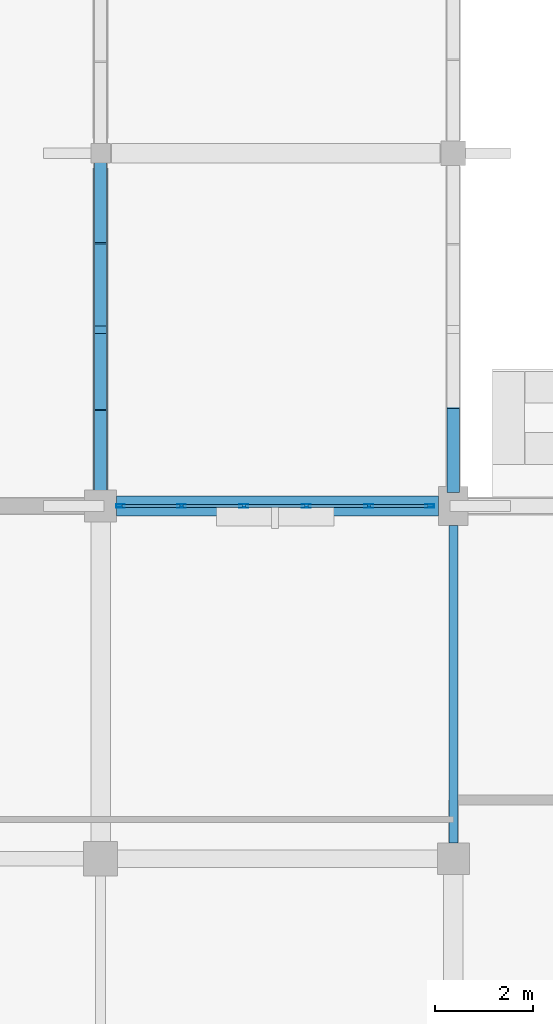
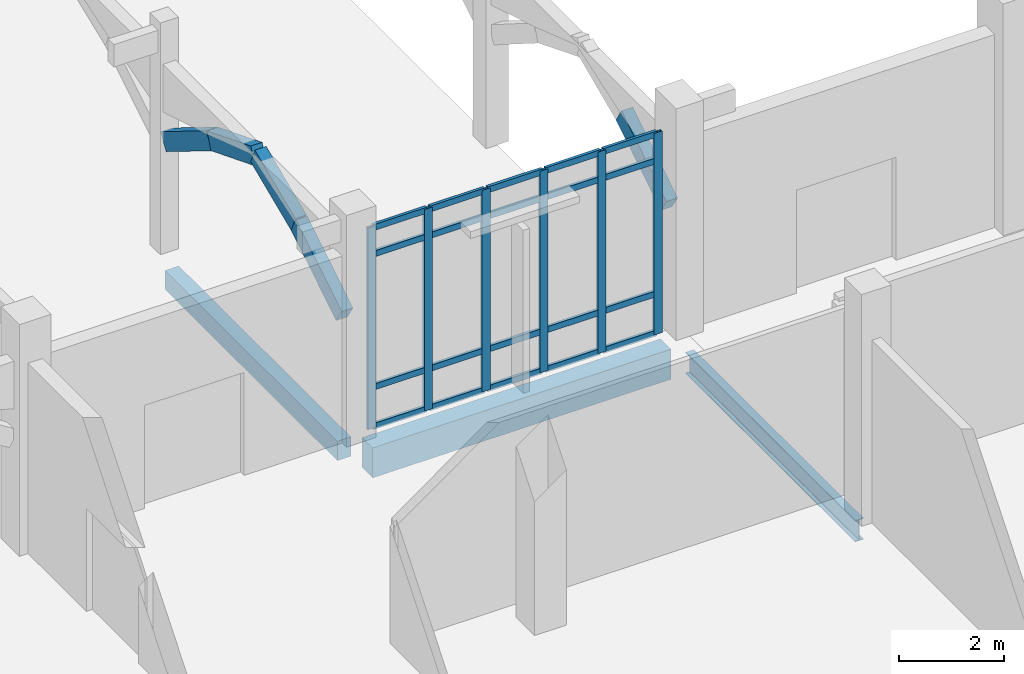
# One storey, part 30 of 110: 31 members, 3 beams, 1 element without a shape of its own.
"""IFC4 building model written with IfcOpenShell, lengths in metres."""

from ifc_helpers import new_model, si_unit, direction, frame, origin, origin_2d, place, context, subcontext, project, spatial, rectangle, hollow_rectangle, i_section, extrude, material, material_profile, profile_set, type_object, element, aggregate, save


model = new_model("IFC4")

# Units and contexts
model_context = context("Model", 3, precision=1e-05, world=origin(), true_north=direction((0.0, 1.0)))
body_context = subcontext(model_context, "Body", "Model", "MODEL_VIEW")
ifc_project = project(units=[si_unit("LENGTHUNIT", "METRE"), si_unit("AREAUNIT", "SQUARE_METRE"), si_unit("VOLUMEUNIT", "CUBIC_METRE"), si_unit("PLANEANGLEUNIT", "RADIAN"), si_unit("MASSUNIT", "GRAM", prefix="KILO")], contexts=[model_context])

# Site, building, storey
site_placement = place(None, origin())
site = spatial("IfcSite", under=ifc_project, at=site_placement, CompositionType="ELEMENT")
building_placement = place(site_placement, origin())
building = spatial("IfcBuilding", under=site, at=building_placement, Name="Kalluvel Institute of Natural Sciences", CompositionType="ELEMENT")
storey_placement = place(building_placement, origin())
storey = spatial("IfcBuildingStorey", under=building, at=storey_placement, Name="L00", CompositionType="ELEMENT", Elevation=0.0)

# Beam
ifc_material_1 = material(Name="Steel E350 Grade 350", Category="steel")
ifc_material_profile_1 = material_profile(ifc_material_1, i_section(OverallWidth=0.179931640625, OverallDepth=0.5, WebThickness=0.01025390625, FlangeThickness=0.01708984375, FilletRadius=0.01708984375, at=origin_2d()), Name="ISMB 500")
ifc_profile_set_1 = profile_set([ifc_material_profile_1], Name="Steel E350 Grade 350")
beam_type_1 = type_object("IfcBeamType", Name="BM-ISMB500", PredefinedType="BEAM", material=ifc_profile_set_1)
beam_1_placement = place(storey_placement, frame((114.800048828125, 28.72509765625, -0.590087890625), z_axis=(0.0, 1.0, 0.0), x_axis=(-1.0, 0.0, 0.0)))
element("IfcBeam", 1, at=beam_1_placement, inside=storey, type_object=beam_type_1, Name="L00 girder GIR-L00-NS-X1148-Y284", PredefinedType="BEAM", context=body_context, shape_type="SweptSolid", body=[
    extrude(i_section(OverallWidth=0.179931640625, OverallDepth=0.5, WebThickness=0.01025390625, FlangeThickness=0.01708984375, FilletRadius=0.01708984375, at=origin_2d()), origin(), (0.0, 0.0, 1.0), 6.474853515625),
])

# Curtain wall, members
ifc_material_2 = material(Name="Aluminium AW-6063 T6", Category="aluminium")
curtain_wall_type = type_object("IfcCurtainWallType", Name="CW-SPAV-45", PredefinedType="USERDEFINED", material=ifc_material_2)
curtain_wall_placement = place(storey_placement, origin())
curtain_wall = element("IfcCurtainWall", 2, at=curtain_wall_placement, inside=storey, type_object=curtain_wall_type, Name="L00 Gothic lancet curtain wall CWA-L00-X1080-Y356", ObjectType="UNITISED LANCET FACADE", PredefinedType="USERDEFINED")
ifc_material_profile_2 = material_profile(ifc_material_2, hollow_rectangle(XDim=0.06494140625, YDim=0.179931640625, WallThickness=0.00439453125, at=origin_2d()), Name="CWM 65x180")
ifc_profile_set_2 = profile_set([ifc_material_profile_2], Name="Aluminium AW-6063 T6")
member_type_1 = type_object("IfcMemberType", Name="CWM-65x180", PredefinedType="MULLION", material=ifc_profile_set_2)
member_1_placement = place(storey_placement, frame((108.007568359375, 35.60009765625, 0.0), z_axis=(0.0, 0.0, 1.0), x_axis=(0.0, 1.0, 0.0)))
member_1 = element("IfcMember", 3, at=member_1_placement, type_object=member_type_1, Name="CW-10 mullion 1", PredefinedType="MULLION", context=body_context, shape_type="SweptSolid", body=[
    extrude(hollow_rectangle(XDim=0.06494140625, YDim=0.179931640625, WallThickness=0.00439453125, at=origin_2d()), origin(), (0.0, 0.0, 1.0), 4.699951171875),
])
member_2_placement = place(storey_placement, frame((109.25, 35.60009765625, 0.0), z_axis=(0.0, 0.0, 1.0), x_axis=(0.0, 1.0, 0.0)))
member_2 = element("IfcMember", 4, at=member_2_placement, type_object=member_type_1, Name="CW-10 mullion 2", PredefinedType="MULLION", context=body_context, shape_type="SweptSolid", body=[
    extrude(hollow_rectangle(XDim=0.06494140625, YDim=0.179931640625, WallThickness=0.00439453125, at=origin_2d()), origin(), (0.0, 0.0, 1.0), 4.699951171875),
])
member_3_placement = place(storey_placement, frame((110.52490234375, 35.60009765625, 0.0), z_axis=(0.0, 0.0, 1.0), x_axis=(0.0, 1.0, 0.0)))
member_3 = element("IfcMember", 5, at=member_3_placement, type_object=member_type_1, Name="CW-10 mullion 3", PredefinedType="MULLION", context=body_context, shape_type="SweptSolid", body=[
    extrude(hollow_rectangle(XDim=0.06494140625, YDim=0.179931640625, WallThickness=0.00439453125, at=origin_2d()), origin(), (0.0, 0.0, 1.0), 4.699951171875),
])
member_4_placement = place(storey_placement, frame((111.800048828125, 35.60009765625, 0.0), z_axis=(0.0, 0.0, 1.0), x_axis=(0.0, 1.0, 0.0)))
member_4 = element("IfcMember", 6, at=member_4_placement, type_object=member_type_1, Name="CW-10 mullion 4", PredefinedType="MULLION", context=body_context, shape_type="SweptSolid", body=[
    extrude(hollow_rectangle(XDim=0.06494140625, YDim=0.179931640625, WallThickness=0.00439453125, at=origin_2d()), origin(), (0.0, 0.0, 1.0), 4.699951171875),
])
member_5_placement = place(storey_placement, frame((113.074951171875, 35.60009765625, 0.0), z_axis=(0.0, 0.0, 1.0), x_axis=(0.0, 1.0, 0.0)))
member_5 = element("IfcMember", 7, at=member_5_placement, type_object=member_type_1, Name="CW-10 mullion 5", PredefinedType="MULLION", context=body_context, shape_type="SweptSolid", body=[
    extrude(hollow_rectangle(XDim=0.06494140625, YDim=0.179931640625, WallThickness=0.00439453125, at=origin_2d()), origin(), (0.0, 0.0, 1.0), 4.699951171875),
])
member_6_placement = place(storey_placement, frame((114.3173828125, 35.60009765625, 0.0), z_axis=(0.0, 0.0, 1.0), x_axis=(0.0, 1.0, 0.0)))
member_6 = element("IfcMember", 8, at=member_6_placement, type_object=member_type_1, Name="CW-10 mullion 6", PredefinedType="MULLION", context=body_context, shape_type="SweptSolid", body=[
    extrude(hollow_rectangle(XDim=0.06494140625, YDim=0.179931640625, WallThickness=0.00439453125, at=origin_2d()), origin(), (0.0, 0.0, 1.0), 4.699951171875),
])
ifc_material_profile_3 = material_profile(ifc_material_2, hollow_rectangle(XDim=0.06494140625, YDim=0.139892578125, WallThickness=0.00439453125, at=origin_2d()), Name="CWT 65x140")
ifc_profile_set_3 = profile_set([ifc_material_profile_3], Name="Aluminium AW-6063 T6")
member_type_2 = type_object("IfcMemberType", Name="CWT-65x140", PredefinedType="USERDEFINED", material=ifc_profile_set_3)
member_7_placement = place(storey_placement, frame((108.0400390625, 35.60009765625, 0.032470703125), z_axis=(1.0, 0.0, 0.0), x_axis=(0.0, 1.0, 0.0)))
member_7 = element("IfcMember", 9, at=member_7_placement, type_object=member_type_2, Name="CW-10 transom 1.1", ObjectType="TRANSOM", PredefinedType="USERDEFINED", context=body_context, shape_type="SweptSolid", body=[
    extrude(hollow_rectangle(XDim=0.06494140625, YDim=0.139892578125, WallThickness=0.00439453125, at=origin_2d()), origin(), (0.0, 0.0, 1.0), 1.177490234375),
])
member_8_placement = place(storey_placement, frame((108.0400390625, 35.60009765625, 0.949951171875), z_axis=(1.0, 0.0, 0.0), x_axis=(0.0, 1.0, 0.0)))
member_8 = element("IfcMember", 10, at=member_8_placement, type_object=member_type_2, Name="CW-10 transom 1.2", ObjectType="TRANSOM", PredefinedType="USERDEFINED", context=body_context, shape_type="SweptSolid", body=[
    extrude(hollow_rectangle(XDim=0.06494140625, YDim=0.139892578125, WallThickness=0.00439453125, at=origin_2d()), origin(), (0.0, 0.0, 1.0), 1.177490234375),
])
member_9_placement = place(storey_placement, frame((108.0400390625, 35.60009765625, 4.050048828125), z_axis=(1.0, 0.0, 0.0), x_axis=(0.0, 1.0, 0.0)))
member_9 = element("IfcMember", 11, at=member_9_placement, type_object=member_type_2, Name="CW-10 transom 1.3", ObjectType="TRANSOM", PredefinedType="USERDEFINED", context=body_context, shape_type="SweptSolid", body=[
    extrude(hollow_rectangle(XDim=0.06494140625, YDim=0.139892578125, WallThickness=0.00439453125, at=origin_2d()), origin(), (0.0, 0.0, 1.0), 1.177490234375),
])
member_10_placement = place(storey_placement, frame((108.0400390625, 35.60009765625, 4.66748046875), z_axis=(1.0, 0.0, 0.0), x_axis=(0.0, 1.0, 0.0)))
member_10 = element("IfcMember", 12, at=member_10_placement, type_object=member_type_2, Name="CW-10 transom 1.4", ObjectType="TRANSOM", PredefinedType="USERDEFINED", context=body_context, shape_type="SweptSolid", body=[
    extrude(hollow_rectangle(XDim=0.06494140625, YDim=0.139892578125, WallThickness=0.00439453125, at=origin_2d()), origin(), (0.0, 0.0, 1.0), 1.177490234375),
])
member_11_placement = place(storey_placement, frame((109.282470703125, 35.60009765625, 0.032470703125), z_axis=(1.0, 0.0, 0.0), x_axis=(0.0, 1.0, 0.0)))
member_11 = element("IfcMember", 13, at=member_11_placement, type_object=member_type_2, Name="CW-10 transom 2.1", ObjectType="TRANSOM", PredefinedType="USERDEFINED", context=body_context, shape_type="SweptSolid", body=[
    extrude(hollow_rectangle(XDim=0.06494140625, YDim=0.139892578125, WallThickness=0.00439453125, at=origin_2d()), origin(), (0.0, 0.0, 1.0), 1.2099609375),
])
member_12_placement = place(storey_placement, frame((109.282470703125, 35.60009765625, 0.949951171875), z_axis=(1.0, 0.0, 0.0), x_axis=(0.0, 1.0, 0.0)))
member_12 = element("IfcMember", 14, at=member_12_placement, type_object=member_type_2, Name="CW-10 transom 2.2", ObjectType="TRANSOM", PredefinedType="USERDEFINED", context=body_context, shape_type="SweptSolid", body=[
    extrude(hollow_rectangle(XDim=0.06494140625, YDim=0.139892578125, WallThickness=0.00439453125, at=origin_2d()), origin(), (0.0, 0.0, 1.0), 1.2099609375),
])
member_13_placement = place(storey_placement, frame((109.282470703125, 35.60009765625, 4.050048828125), z_axis=(1.0, 0.0, 0.0), x_axis=(0.0, 1.0, 0.0)))
member_13 = element("IfcMember", 15, at=member_13_placement, type_object=member_type_2, Name="CW-10 transom 2.3", ObjectType="TRANSOM", PredefinedType="USERDEFINED", context=body_context, shape_type="SweptSolid", body=[
    extrude(hollow_rectangle(XDim=0.06494140625, YDim=0.139892578125, WallThickness=0.00439453125, at=origin_2d()), origin(), (0.0, 0.0, 1.0), 1.2099609375),
])
member_14_placement = place(storey_placement, frame((109.282470703125, 35.60009765625, 4.66748046875), z_axis=(1.0, 0.0, 0.0), x_axis=(0.0, 1.0, 0.0)))
member_14 = element("IfcMember", 16, at=member_14_placement, type_object=member_type_2, Name="CW-10 transom 2.4", ObjectType="TRANSOM", PredefinedType="USERDEFINED", context=body_context, shape_type="SweptSolid", body=[
    extrude(hollow_rectangle(XDim=0.06494140625, YDim=0.139892578125, WallThickness=0.00439453125, at=origin_2d()), origin(), (0.0, 0.0, 1.0), 1.2099609375),
])
member_15_placement = place(storey_placement, frame((110.5576171875, 35.60009765625, 0.032470703125), z_axis=(1.0, 0.0, 0.0), x_axis=(0.0, 1.0, 0.0)))
member_15 = element("IfcMember", 17, at=member_15_placement, type_object=member_type_2, Name="CW-10 transom 3.1", ObjectType="TRANSOM", PredefinedType="USERDEFINED", context=body_context, shape_type="SweptSolid", body=[
    extrude(hollow_rectangle(XDim=0.06494140625, YDim=0.139892578125, WallThickness=0.00439453125, at=origin_2d()), origin(), (0.0, 0.0, 1.0), 1.2099609375),
])
member_16_placement = place(storey_placement, frame((110.5576171875, 35.60009765625, 0.949951171875), z_axis=(1.0, 0.0, 0.0), x_axis=(0.0, 1.0, 0.0)))
member_16 = element("IfcMember", 18, at=member_16_placement, type_object=member_type_2, Name="CW-10 transom 3.2", ObjectType="TRANSOM", PredefinedType="USERDEFINED", context=body_context, shape_type="SweptSolid", body=[
    extrude(hollow_rectangle(XDim=0.06494140625, YDim=0.139892578125, WallThickness=0.00439453125, at=origin_2d()), origin(), (0.0, 0.0, 1.0), 1.2099609375),
])
member_17_placement = place(storey_placement, frame((110.5576171875, 35.60009765625, 4.050048828125), z_axis=(1.0, 0.0, 0.0), x_axis=(0.0, 1.0, 0.0)))
member_17 = element("IfcMember", 19, at=member_17_placement, type_object=member_type_2, Name="CW-10 transom 3.3", ObjectType="TRANSOM", PredefinedType="USERDEFINED", context=body_context, shape_type="SweptSolid", body=[
    extrude(hollow_rectangle(XDim=0.06494140625, YDim=0.139892578125, WallThickness=0.00439453125, at=origin_2d()), origin(), (0.0, 0.0, 1.0), 1.2099609375),
])
member_18_placement = place(storey_placement, frame((110.5576171875, 35.60009765625, 4.66748046875), z_axis=(1.0, 0.0, 0.0), x_axis=(0.0, 1.0, 0.0)))
member_18 = element("IfcMember", 20, at=member_18_placement, type_object=member_type_2, Name="CW-10 transom 3.4", ObjectType="TRANSOM", PredefinedType="USERDEFINED", context=body_context, shape_type="SweptSolid", body=[
    extrude(hollow_rectangle(XDim=0.06494140625, YDim=0.139892578125, WallThickness=0.00439453125, at=origin_2d()), origin(), (0.0, 0.0, 1.0), 1.2099609375),
])
member_19_placement = place(storey_placement, frame((111.83251953125, 35.60009765625, 0.032470703125), z_axis=(1.0, 0.0, 0.0), x_axis=(0.0, 1.0, 0.0)))
member_19 = element("IfcMember", 21, at=member_19_placement, type_object=member_type_2, Name="CW-10 transom 4.1", ObjectType="TRANSOM", PredefinedType="USERDEFINED", context=body_context, shape_type="SweptSolid", body=[
    extrude(hollow_rectangle(XDim=0.06494140625, YDim=0.139892578125, WallThickness=0.00439453125, at=origin_2d()), origin(), (0.0, 0.0, 1.0), 1.2099609375),
])
member_20_placement = place(storey_placement, frame((111.83251953125, 35.60009765625, 0.949951171875), z_axis=(1.0, 0.0, 0.0), x_axis=(0.0, 1.0, 0.0)))
member_20 = element("IfcMember", 22, at=member_20_placement, type_object=member_type_2, Name="CW-10 transom 4.2", ObjectType="TRANSOM", PredefinedType="USERDEFINED", context=body_context, shape_type="SweptSolid", body=[
    extrude(hollow_rectangle(XDim=0.06494140625, YDim=0.139892578125, WallThickness=0.00439453125, at=origin_2d()), origin(), (0.0, 0.0, 1.0), 1.2099609375),
])
member_21_placement = place(storey_placement, frame((111.83251953125, 35.60009765625, 4.050048828125), z_axis=(1.0, 0.0, 0.0), x_axis=(0.0, 1.0, 0.0)))
member_21 = element("IfcMember", 23, at=member_21_placement, type_object=member_type_2, Name="CW-10 transom 4.3", ObjectType="TRANSOM", PredefinedType="USERDEFINED", context=body_context, shape_type="SweptSolid", body=[
    extrude(hollow_rectangle(XDim=0.06494140625, YDim=0.139892578125, WallThickness=0.00439453125, at=origin_2d()), origin(), (0.0, 0.0, 1.0), 1.2099609375),
])
member_22_placement = place(storey_placement, frame((111.83251953125, 35.60009765625, 4.66748046875), z_axis=(1.0, 0.0, 0.0), x_axis=(0.0, 1.0, 0.0)))
member_22 = element("IfcMember", 24, at=member_22_placement, type_object=member_type_2, Name="CW-10 transom 4.4", ObjectType="TRANSOM", PredefinedType="USERDEFINED", context=body_context, shape_type="SweptSolid", body=[
    extrude(hollow_rectangle(XDim=0.06494140625, YDim=0.139892578125, WallThickness=0.00439453125, at=origin_2d()), origin(), (0.0, 0.0, 1.0), 1.2099609375),
])
member_23_placement = place(storey_placement, frame((113.107421875, 35.60009765625, 0.032470703125), z_axis=(1.0, 0.0, 0.0), x_axis=(0.0, 1.0, 0.0)))
member_23 = element("IfcMember", 25, at=member_23_placement, type_object=member_type_2, Name="CW-10 transom 5.1", ObjectType="TRANSOM", PredefinedType="USERDEFINED", context=body_context, shape_type="SweptSolid", body=[
    extrude(hollow_rectangle(XDim=0.06494140625, YDim=0.139892578125, WallThickness=0.00439453125, at=origin_2d()), origin(), (0.0, 0.0, 1.0), 1.177490234375),
])
member_24_placement = place(storey_placement, frame((113.107421875, 35.60009765625, 0.949951171875), z_axis=(1.0, 0.0, 0.0), x_axis=(0.0, 1.0, 0.0)))
member_24 = element("IfcMember", 26, at=member_24_placement, type_object=member_type_2, Name="CW-10 transom 5.2", ObjectType="TRANSOM", PredefinedType="USERDEFINED", context=body_context, shape_type="SweptSolid", body=[
    extrude(hollow_rectangle(XDim=0.06494140625, YDim=0.139892578125, WallThickness=0.00439453125, at=origin_2d()), origin(), (0.0, 0.0, 1.0), 1.177490234375),
])
member_25_placement = place(storey_placement, frame((113.107421875, 35.60009765625, 4.050048828125), z_axis=(1.0, 0.0, 0.0), x_axis=(0.0, 1.0, 0.0)))
member_25 = element("IfcMember", 27, at=member_25_placement, type_object=member_type_2, Name="CW-10 transom 5.3", ObjectType="TRANSOM", PredefinedType="USERDEFINED", context=body_context, shape_type="SweptSolid", body=[
    extrude(hollow_rectangle(XDim=0.06494140625, YDim=0.139892578125, WallThickness=0.00439453125, at=origin_2d()), origin(), (0.0, 0.0, 1.0), 1.177490234375),
])
member_26_placement = place(storey_placement, frame((113.107421875, 35.60009765625, 4.66748046875), z_axis=(1.0, 0.0, 0.0), x_axis=(0.0, 1.0, 0.0)))
member_26 = element("IfcMember", 28, at=member_26_placement, type_object=member_type_2, Name="CW-10 transom 5.4", ObjectType="TRANSOM", PredefinedType="USERDEFINED", context=body_context, shape_type="SweptSolid", body=[
    extrude(hollow_rectangle(XDim=0.06494140625, YDim=0.139892578125, WallThickness=0.00439453125, at=origin_2d()), origin(), (0.0, 0.0, 1.0), 1.177490234375),
])
aggregate(curtain_wall, [member_1, member_2, member_3, member_4, member_5, member_6, member_7, member_8, member_9, member_10, member_11, member_12, member_13, member_14, member_15, member_16, member_17, member_18, member_19, member_20, member_21, member_22, member_23, member_24, member_25, member_26])

# Members
ifc_material_3 = material(Name="Sadarahalli Granite Precast Concrete M45", Category="masonry")
ifc_material_profile_4 = material_profile(ifc_material_3, rectangle(XDim=0.25, YDim=0.39990234375, at=origin_2d()), Name="RCB 250x400")
ifc_profile_set_4 = profile_set([ifc_material_profile_4], Name="Sadarahalli Granite Precast Concrete M45")
member_type_3 = type_object("IfcMemberType", Name="MB-CL-ARCH250", PredefinedType="USERDEFINED", material=ifc_profile_set_4)
member_27_placement = place(storey_placement, frame((107.60009765625, 35.909912109375, 2.60009765625), z_axis=(0.0, 0.850138265106, 0.526559521994), x_axis=(-1.0, 0.0, 0.0)))
element("IfcMember", 29, at=member_27_placement, inside=storey, type_object=member_type_3, Name="Gothic cloister pointed-lancet arch segment 73", ObjectType="ARCH_SEGMENT", PredefinedType="USERDEFINED", context=body_context, shape_type="SweptSolid", body=[
    extrude(rectangle(XDim=0.25, YDim=0.39990234375, at=origin_2d()), origin(), (0.0, 0.0, 1.0), 2.05078125),
])
member_28_placement = place(storey_placement, frame((107.60009765625, 37.6533203125, 3.679931640625), z_axis=(0.0, 0.91972226108, 0.392569691233), x_axis=(-1.0, 0.0, 0.0)))
element("IfcMember", 30, at=member_28_placement, inside=storey, type_object=member_type_3, Name="Gothic cloister pointed-lancet arch segment 74", ObjectType="ARCH_SEGMENT", PredefinedType="USERDEFINED", context=body_context, shape_type="SweptSolid", body=[
    extrude(rectangle(XDim=0.25, YDim=0.39990234375, at=origin_2d()), origin(), (0.0, 0.0, 1.0), 1.681640625),
])
member_29_placement = place(storey_placement, frame((107.60009765625, 39.199951171875, 4.340087890625), z_axis=(0.0, 0.930097829902, -0.3673118931), x_axis=(-1.0, 0.0, 0.0)))
element("IfcMember", 31, at=member_29_placement, inside=storey, type_object=member_type_3, Name="Gothic cloister pointed-lancet arch segment 75", ObjectType="ARCH_SEGMENT", PredefinedType="USERDEFINED", context=body_context, shape_type="SweptSolid", body=[
    extrude(rectangle(XDim=0.25, YDim=0.39990234375, at=origin_2d()), origin(), (0.0, 0.0, 1.0), 1.79736328125),
])
member_30_placement = place(storey_placement, frame((107.60009765625, 40.87158203125, 3.679931640625), z_axis=(0.0, 0.850138265106, -0.526559521994), x_axis=(-1.0, 0.0, 0.0)))
element("IfcMember", 32, at=member_30_placement, inside=storey, type_object=member_type_3, Name="Gothic cloister pointed-lancet arch segment 76", ObjectType="ARCH_SEGMENT", PredefinedType="USERDEFINED", context=body_context, shape_type="SweptSolid", body=[
    extrude(rectangle(XDim=0.25, YDim=0.39990234375, at=origin_2d()), origin(), (0.0, 0.0, 1.0), 2.05078125),
])
member_31_placement = place(storey_placement, frame((114.800048828125, 35.985107421875, 2.60009765625), z_axis=(0.0, 0.845623658358, 0.533779569134), x_axis=(-1.0, 0.0, 0.0)))
element("IfcMember", 33, at=member_31_placement, inside=storey, type_object=member_type_3, Name="Gothic cloister pointed-lancet arch segment 77", ObjectType="ARCH_SEGMENT", PredefinedType="USERDEFINED", context=body_context, shape_type="SweptSolid", body=[
    extrude(rectangle(XDim=0.25, YDim=0.39990234375, at=origin_2d()), origin(), (0.0, 0.0, 1.0), 2.02294921875),
])

# Beams
ifc_material_4 = material(Name="Concrete M40", Category="concrete")
ifc_material_profile_5 = material_profile(ifc_material_4, rectangle(XDim=0.300048828125, YDim=0.449951171875, at=origin_2d()), Name="RCB 300x450")
ifc_profile_set_5 = profile_set([ifc_material_profile_5], Name="Concrete M40")
beam_type_2 = type_object("IfcBeamType", Name="SP-RC300x450", PredefinedType="SPANDREL", material=ifc_profile_set_5)
beam_2_placement = place(storey_placement, frame((107.60009765625, 35.925048828125, -0.544921875), z_axis=(0.0, 1.0, 0.0), x_axis=(-1.0, 0.0, 0.0)))
element("IfcBeam", 34, at=beam_2_placement, inside=storey, type_object=beam_type_2, Name="L00 girder GIR-L00-NS-X1076-Y356", PredefinedType="SPANDREL", context=body_context, shape_type="SweptSolid", body=[
    extrude(rectangle(XDim=0.300048828125, YDim=0.449951171875, at=origin_2d()), origin(), (0.0, 0.0, 1.0), 6.574951171875),
])
ifc_material_profile_6 = material_profile(ifc_material_4, rectangle(XDim=0.39990234375, YDim=0.699951171875, at=origin_2d()), Name="RCB 400x700")
ifc_profile_set_6 = profile_set([ifc_material_profile_6], Name="Concrete M40")
beam_type_3 = type_object("IfcBeamType", Name="SP-RC400x700", PredefinedType="SPANDREL", material=ifc_profile_set_6)
beam_3_placement = place(storey_placement, frame((107.925048828125, 35.60009765625, -0.669921875), z_axis=(1.0, 0.0, 0.0), x_axis=(0.0, 1.0, 0.0)))
element("IfcBeam", 35, at=beam_3_placement, inside=storey, type_object=beam_type_3, Name="L00 girder GIR-L00-EW-X1076-Y356", PredefinedType="SPANDREL", context=body_context, shape_type="SweptSolid", body=[
    extrude(rectangle(XDim=0.39990234375, YDim=0.699951171875, at=origin_2d()), origin(), (0.0, 0.0, 1.0), 6.574951171875),
])

save(model, "model.ifc")
